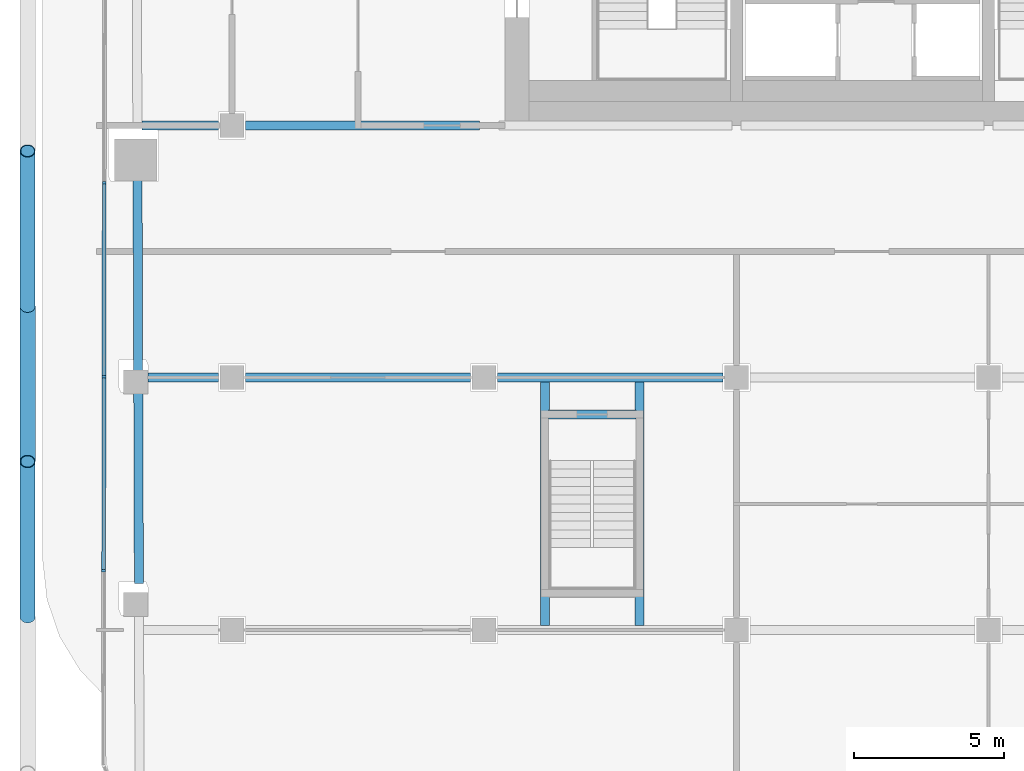
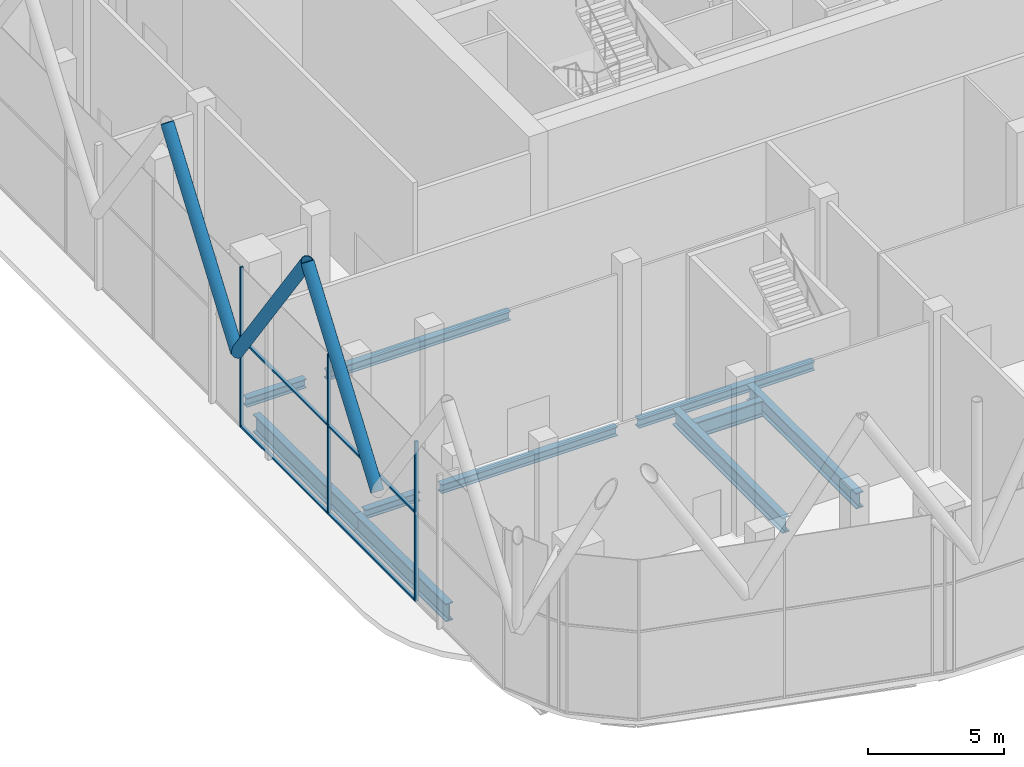
# One storey, part 4 of 25: 10 beams, 10 members, 1 element without a shape of its own.
"""IFC4 building model written with IfcOpenShell, lengths in metres."""

from ifc_helpers import new_model, si_unit, direction, frame, origin, origin_2d, place, context, subcontext, project, spatial, rectangle, hollow_circle, i_section, extrude, material, layer, layer_set, material_profile, profile_set, type_object, element, aggregate, save


model = new_model("IFC4")

# Units and contexts
model_context = context("Model", 3, precision=1e-05, world=origin(), true_north=direction((0.0, 1.0)))
body_context = subcontext(model_context, "Body", "Model", "MODEL_VIEW")
ifc_project = project(units=[si_unit("LENGTHUNIT", "METRE"), si_unit("AREAUNIT", "SQUARE_METRE"), si_unit("VOLUMEUNIT", "CUBIC_METRE"), si_unit("PLANEANGLEUNIT", "RADIAN"), si_unit("MASSUNIT", "GRAM", prefix="KILO")], contexts=[model_context])

# Site, building, storey
site_placement = place(None, origin())
site = spatial("IfcSite", under=ifc_project, at=site_placement, CompositionType="ELEMENT")
building_placement = place(site_placement, origin())
building = spatial("IfcBuilding", under=site, at=building_placement, Name="Marenta Gate Hotel Tower", CompositionType="ELEMENT")
storey_placement = place(building_placement, frame((0.0, 0.0, 180.5)))
storey = spatial("IfcBuildingStorey", under=building, at=storey_placement, Name="L41", CompositionType="ELEMENT", Elevation=180.5)

# Members
ifc_material_1 = material(Name="Steel S355J2W", Category="steel")
ifc_material_profile_1 = material_profile(ifc_material_1, hollow_circle(Radius=0.25390625, WallThickness=0.02490234375, at=origin_2d()), Name="CHS 508x25")
ifc_profile_set_1 = profile_set([ifc_material_profile_1], Name="Steel S355J2W")
member_type_1 = type_object("IfcMemberType", Name="Diagrid diagonal Z3 CHS 508x25", PredefinedType="BRACE", material=ifc_profile_set_1)
member_1_placement = place(storey_placement, frame((-27.800048828125, -16.360107421875, 6.739990234375), z_axis=(0.0, 0.583260841117, 0.812284919975), x_axis=(-1.0, 0.0, 0.0)))
element("IfcMember", 1, at=member_1_placement, inside=storey, type_object=member_type_1, Name="L41-DG-27", PredefinedType="BRACE", context=body_context, shape_type="SweptSolid", body=[
    extrude(hollow_circle(Radius=0.25390625, WallThickness=0.02490234375, at=origin_2d()), origin(), (0.0, 0.0, 1.0), 8.86376953125),
])
member_2_placement = place(storey_placement, frame((-27.800048828125, -6.02001953125, 6.739990234375), z_axis=(0.0, -0.583279014058, 0.812271870595), x_axis=(1.0, 0.0, 0.0)))
element("IfcMember", 2, at=member_2_placement, inside=storey, type_object=member_type_1, Name="L41-DG-28", PredefinedType="BRACE", context=body_context, shape_type="SweptSolid", body=[
    extrude(hollow_circle(Radius=0.25390625, WallThickness=0.02490234375, at=origin_2d()), origin(), (0.0, 0.0, 1.0), 8.864013671875),
])
member_3_placement = place(storey_placement, frame((-27.800048828125, -6.02001953125, 6.739990234375), z_axis=(0.0, 0.583260841117, 0.812284919975), x_axis=(-1.0, 0.0, 0.0)))
element("IfcMember", 3, at=member_3_placement, inside=storey, type_object=member_type_1, Name="L41-DG-29", PredefinedType="BRACE", context=body_context, shape_type="SweptSolid", body=[
    extrude(hollow_circle(Radius=0.25390625, WallThickness=0.02490234375, at=origin_2d()), origin(), (0.0, 0.0, 1.0), 8.86376953125),
])

# Beams
ifc_material_2 = material(Name="Steel S355", Category="steel")
ifc_material_profile_2 = material_profile(ifc_material_2, i_section(OverallWidth=0.302978515625, OverallDepth=0.81396484375, WebThickness=0.030029296875, FlangeThickness=0.052001953125, FilletRadius=0.030029296875, at=origin_2d()), Name="HEM 800")
ifc_profile_set_2 = profile_set([ifc_material_profile_2], Name="Steel S355")
beam_type_1 = type_object("IfcBeamType", Name="Edge beam HEM 800", PredefinedType="SPANDREL", material=ifc_profile_set_2)
beam_1_placement = place(storey_placement, frame((-24.0947265625, -15.25146484375, -0.6669921875), z_axis=(-0.003332107543, 0.999994448514, 0.0), x_axis=(-0.999994448514, -0.003332107543, 0.0)))
element("IfcBeam", 4, at=beam_1_placement, inside=storey, type_object=beam_type_1, Name="L41-EB-5", PredefinedType="SPANDREL", context=body_context, shape_type="SweptSolid", body=[
    extrude(i_section(OverallWidth=0.302978515625, OverallDepth=0.81396484375, WebThickness=0.030029296875, FlangeThickness=0.052001953125, FilletRadius=0.030029296875, at=origin_2d()), origin(), (0.0, 0.0, 1.0), 6.74072265625),
])
beam_2_placement = place(storey_placement, frame((-24.116943359375, -8.590576171875, -0.6669921875), z_axis=(-0.003328854634, 0.999994459348, 0.0), x_axis=(-0.999994459348, -0.003328854634, 0.0)))
element("IfcBeam", 5, at=beam_2_placement, inside=storey, type_object=beam_type_1, Name="L41-EB-6", PredefinedType="SPANDREL", context=body_context, shape_type="SweptSolid", body=[
    extrude(i_section(OverallWidth=0.302978515625, OverallDepth=0.81396484375, WebThickness=0.030029296875, FlangeThickness=0.052001953125, FilletRadius=0.030029296875, at=origin_2d()), origin(), (0.0, 0.0, 1.0), 7.480712890625),
])
ifc_material_3 = material(Name="Steel S355", Category="steel")
ifc_material_profile_3 = material_profile(ifc_material_3, i_section(OverallWidth=0.300048828125, OverallDepth=0.39990234375, WebThickness=0.013427734375, FlangeThickness=0.02392578125, FilletRadius=0.027099609375, at=origin_2d()), Name="HEB 400")
ifc_profile_set_3 = profile_set([ifc_material_profile_3], Name="Steel S355")
beam_type_2 = type_object("IfcBeamType", Name="Girder HEB 400", PredefinedType="BEAM", material=ifc_profile_set_3)
beam_3_placement = place(storey_placement, frame((-23.800048828125, -8.39990234375, -0.4599609375), z_axis=(1.0, 0.0, 0.0), x_axis=(0.0, 1.0, 0.0)))
element("IfcBeam", 6, at=beam_3_placement, inside=storey, type_object=beam_type_2, Name="L41-GD-15", PredefinedType="BEAM", context=body_context, shape_type="SweptSolid", body=[
    extrude(i_section(OverallWidth=0.300048828125, OverallDepth=0.39990234375, WebThickness=0.013427734375, FlangeThickness=0.02392578125, FilletRadius=0.027099609375, at=origin_2d()), origin(), (0.0, 0.0, 1.0), 2.35009765625),
])
for number, where, z_axis, x_axis, name in (
    (7, (-20.550048828125, -8.39990234375, -0.4599609375), (1.0, 0.0, 0.0), (0.0, 1.0, 0.0), "L41-GD-16"),
    (8, (-12.14990234375, -8.39990234375, -0.4599609375), (1.0, 0.0, 0.0), (0.0, 1.0, 0.0), "L41-GD-17"),
):
    element("IfcBeam", number, at=place(storey_placement, frame(where, z_axis=z_axis, x_axis=x_axis)), inside=storey, type_object=beam_type_2, Name=name, PredefinedType="BEAM", context=body_context, shape_type="SweptSolid", body=[
        extrude(i_section(OverallWidth=0.300048828125, OverallDepth=0.39990234375, WebThickness=0.013427734375, FlangeThickness=0.02392578125, FilletRadius=0.027099609375, at=origin_2d()), origin(), (0.0, 0.0, 1.0), 7.5),
    ])
beam_4_placement = place(storey_placement, frame((-23.994140625, 0.0, -0.4599609375), z_axis=(1.0, 0.0, 0.0), x_axis=(0.0, 1.0, 0.0)))
element("IfcBeam", 9, at=beam_4_placement, inside=storey, type_object=beam_type_2, Name="L41-GD-22", PredefinedType="BEAM", context=body_context, shape_type="SweptSolid", body=[
    extrude(i_section(OverallWidth=0.300048828125, OverallDepth=0.39990234375, WebThickness=0.013427734375, FlangeThickness=0.02392578125, FilletRadius=0.027099609375, at=origin_2d()), origin(), (0.0, 0.0, 1.0), 2.544189453125),
])
beam_5_placement = place(storey_placement, frame((-20.550048828125, 0.0, -0.4599609375), z_axis=(1.0, 0.0, 0.0), x_axis=(0.0, 1.0, 0.0)))
element("IfcBeam", 10, at=beam_5_placement, inside=storey, type_object=beam_type_2, Name="L41-GD-23", PredefinedType="BEAM", context=body_context, shape_type="SweptSolid", body=[
    extrude(i_section(OverallWidth=0.300048828125, OverallDepth=0.39990234375, WebThickness=0.013427734375, FlangeThickness=0.02392578125, FilletRadius=0.027099609375, at=origin_2d()), origin(), (0.0, 0.0, 1.0), 7.798583984375),
])

# Curtain wall, members
ifc_material_4 = material(Name="Tinted insulated glass in bronze anodised frame", Category="glass")
ifc_layer = layer(ifc_material_4, 0.1298828125)
ifc_layer_set = layer_set([ifc_layer], Name="Tinted insulated glass in bronze anodised frame")
curtain_wall_type = type_object("IfcCurtainWallType", Name="Sky lobby glazing CW2", PredefinedType="NOTDEFINED", material=ifc_layer_set)
curtain_wall_placement = place(storey_placement, origin())
curtain_wall = element("IfcCurtainWall", 11, at=curtain_wall_placement, inside=storey, type_object=curtain_wall_type, Name="CW2 run G04", PredefinedType="NOTDEFINED")
ifc_material_5 = material(Name="Bronze anodised aluminium", Category="aluminium")
ifc_material_profile_4 = material_profile(ifc_material_5, rectangle(XDim=0.1298828125, YDim=0.080078125, at=origin_2d()), Name="Mullion CW2 80x130 bronze anodised aluminium")
ifc_profile_set_4 = profile_set([ifc_material_profile_4], Name="Bronze anodised aluminium")
member_type_2 = type_object("IfcMemberType", Name="Mullion CW2 80x130 bronze anodised aluminium", PredefinedType="MULLION", material=ifc_profile_set_4)
member_4_placement = place(storey_placement, frame((-25.24755859375, -1.913818359375, 0.0), z_axis=(0.0, 0.0, 1.0), x_axis=(0.999998773883, -0.001565960706, 0.0)))
member_4 = element("IfcMember", 12, at=member_4_placement, type_object=member_type_2, Name="CW2 mullion 4", PredefinedType="MULLION", context=body_context, shape_type="SweptSolid", body=[
    extrude(rectangle(XDim=0.1298828125, YDim=0.080078125, at=origin_2d()), origin(), (0.0, 0.0, 1.0), 7.199951171875),
])
member_5_placement = place(storey_placement, frame((-25.2578125, -8.374267578125, 0.0), z_axis=(0.0, 0.0, 1.0), x_axis=(0.999998773883, -0.001565960706, 0.0)))
member_5 = element("IfcMember", 13, at=member_5_placement, type_object=member_type_2, Name="CW2 mullion 5", PredefinedType="MULLION", context=body_context, shape_type="SweptSolid", body=[
    extrude(rectangle(XDim=0.1298828125, YDim=0.080078125, at=origin_2d()), origin(), (0.0, 0.0, 1.0), 7.199951171875),
])
member_6_placement = place(storey_placement, frame((-25.267822265625, -14.83447265625, 0.0), z_axis=(0.0, 0.0, 1.0), x_axis=(0.999998773883, -0.001565960706, 0.0)))
member_6 = element("IfcMember", 14, at=member_6_placement, type_object=member_type_2, Name="CW2 mullion 6", PredefinedType="MULLION", context=body_context, shape_type="SweptSolid", body=[
    extrude(rectangle(XDim=0.1298828125, YDim=0.080078125, at=origin_2d()), origin(), (0.0, 0.0, 1.0), 7.199951171875),
])

# Beams
ifc_material_6 = material(Name="Steel S355", Category="steel")
ifc_material_profile_5 = material_profile(ifc_material_6, i_section(OverallWidth=0.303955078125, OverallDepth=0.716064453125, WebThickness=0.027099609375, FlangeThickness=0.048095703125, FilletRadius=0.027099609375, at=origin_2d()), Name="HEM 700")
ifc_profile_set_5 = profile_set([ifc_material_profile_5], Name="Steel S355")
beam_type_3 = type_object("IfcBeamType", Name="Stair wall transfer beam HEM 700", PredefinedType="BEAM", material=ifc_profile_set_5)
for number, where, z_axis, x_axis, name in (
    (15, (-10.574951171875, -16.64990234375, -0.617919921875), (0.0, 1.0, 0.0), (-1.0, 0.0, 0.0), "L41-XB-RS-Z3-1-a"),
    (16, (-7.425048828125, -16.64990234375, -0.617919921875), (0.0, 1.0, 0.0), (-1.0, 0.0, 0.0), "L41-XB-RS-Z3-1-b"),
):
    element("IfcBeam", number, at=place(storey_placement, frame(where, z_axis=z_axis, x_axis=x_axis)), inside=storey, type_object=beam_type_3, Name=name, PredefinedType="BEAM", context=body_context, shape_type="SweptSolid", body=[
        extrude(i_section(OverallWidth=0.303955078125, OverallDepth=0.716064453125, WebThickness=0.027099609375, FlangeThickness=0.048095703125, FilletRadius=0.027099609375, at=origin_2d()), origin(), (0.0, 0.0, 1.0), 8.099853515625),
    ])
beam_6_placement = place(storey_placement, frame((-10.449951171875, -9.625, -0.617919921875), z_axis=(1.0, 0.0, 0.0), x_axis=(0.0, 1.0, 0.0)))
element("IfcBeam", 17, at=beam_6_placement, inside=storey, type_object=beam_type_3, Name="L41-XB-RS-Z3-1-d", PredefinedType="BEAM", context=body_context, shape_type="SweptSolid", body=[
    extrude(i_section(OverallWidth=0.303955078125, OverallDepth=0.716064453125, WebThickness=0.027099609375, FlangeThickness=0.048095703125, FilletRadius=0.027099609375, at=origin_2d()), origin(), (0.0, 0.0, 1.0), 2.89990234375),
])

# Member
ifc_material_7 = material(Name="Bronze anodised aluminium", Category="aluminium")
ifc_material_profile_6 = material_profile(ifc_material_7, rectangle(XDim=0.1298828125, YDim=0.080078125, at=origin_2d()), Name="Transom CW2 80x130 bronze anodised aluminium")
ifc_profile_set_6 = profile_set([ifc_material_profile_6], Name="Bronze anodised aluminium")
member_type_3 = type_object("IfcMemberType", Name="Transom CW2 80x130 bronze anodised aluminium", PredefinedType="USERDEFINED", material=ifc_profile_set_6)
member_7_placement = place(storey_placement, frame((-25.247802734375, -1.953857421875, 0.0400390625), z_axis=(-0.001568835599, -0.999998769377, 0.0), x_axis=(0.999998769377, -0.001568835599, 0.0)))
member_7 = element("IfcMember", 18, at=member_7_placement, type_object=member_type_3, Name="CW2 transom 4.1", ObjectType="TRANSOM", PredefinedType="USERDEFINED", context=body_context, shape_type="SweptSolid", body=[
    extrude(rectangle(XDim=0.1298828125, YDim=0.080078125, at=origin_2d()), origin(), (0.0, 0.0, 1.0), 6.38037109375),
])

member_8_placement = place(storey_placement, frame((-25.247802734375, -1.953857421875, 4.0), z_axis=(-0.001568835599, -0.999998769377, 0.0), x_axis=(0.999998769377, -0.001568835599, 0.0)))
member_8 = element("IfcMember", 19, at=member_8_placement, type_object=member_type_3, Name="CW2 transom 4.2", ObjectType="TRANSOM", PredefinedType="USERDEFINED", context=body_context, shape_type="SweptSolid", body=[
    extrude(rectangle(XDim=0.1298828125, YDim=0.080078125, at=origin_2d()), origin(), (0.0, 0.0, 1.0), 6.38037109375),
])

member_9_placement = place(storey_placement, frame((-25.2578125, -8.414306640625, 0.0400390625), z_axis=(-0.001568895632, -0.999998769282, 0.0), x_axis=(0.999998769282, -0.001568895632, 0.0)))
member_9 = element("IfcMember", 20, at=member_9_placement, type_object=member_type_3, Name="CW2 transom 5.1", ObjectType="TRANSOM", PredefinedType="USERDEFINED", context=body_context, shape_type="SweptSolid", body=[
    extrude(rectangle(XDim=0.1298828125, YDim=0.080078125, at=origin_2d()), origin(), (0.0, 0.0, 1.0), 6.380126953125),
])

member_10_placement = place(storey_placement, frame((-25.2578125, -8.414306640625, 4.0), z_axis=(-0.001568895632, -0.999998769282, 0.0), x_axis=(0.999998769282, -0.001568895632, 0.0)))
member_10 = element("IfcMember", 21, at=member_10_placement, type_object=member_type_3, Name="CW2 transom 5.2", ObjectType="TRANSOM", PredefinedType="USERDEFINED", context=body_context, shape_type="SweptSolid", body=[
    extrude(rectangle(XDim=0.1298828125, YDim=0.080078125, at=origin_2d()), origin(), (0.0, 0.0, 1.0), 6.380126953125),
])

aggregate(curtain_wall, [member_4, member_5, member_6, member_7, member_8, member_9, member_10])

save(model, "model.ifc")
